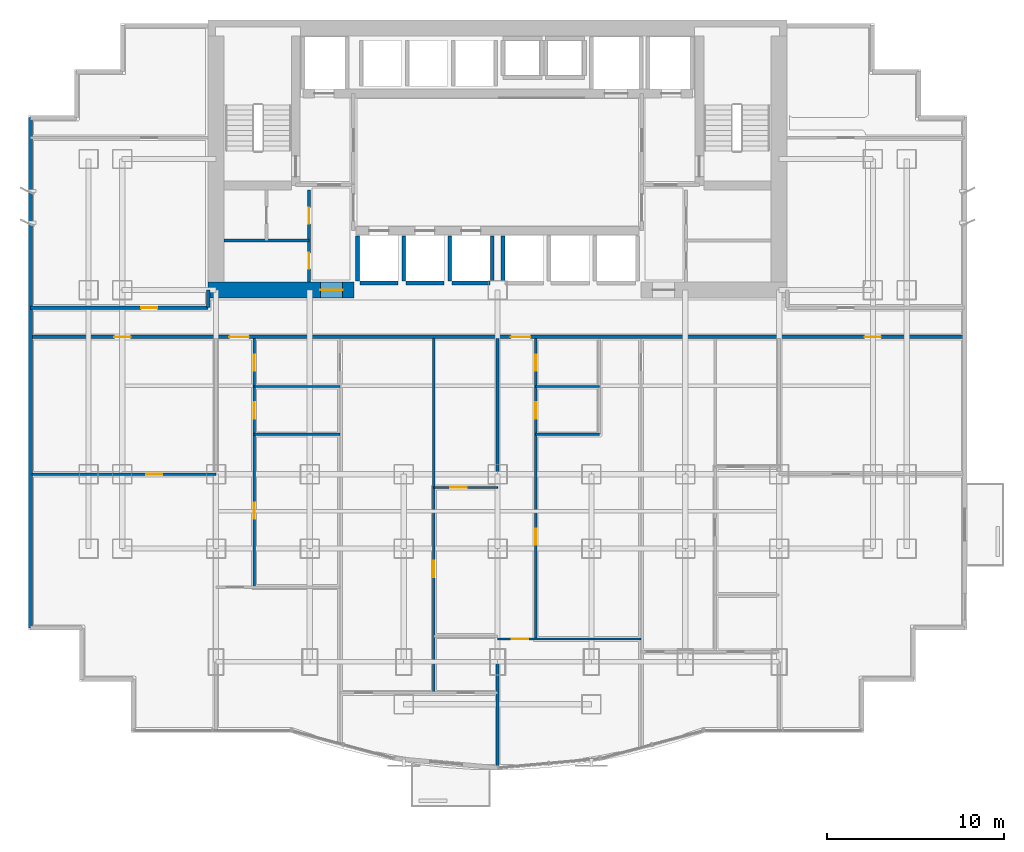
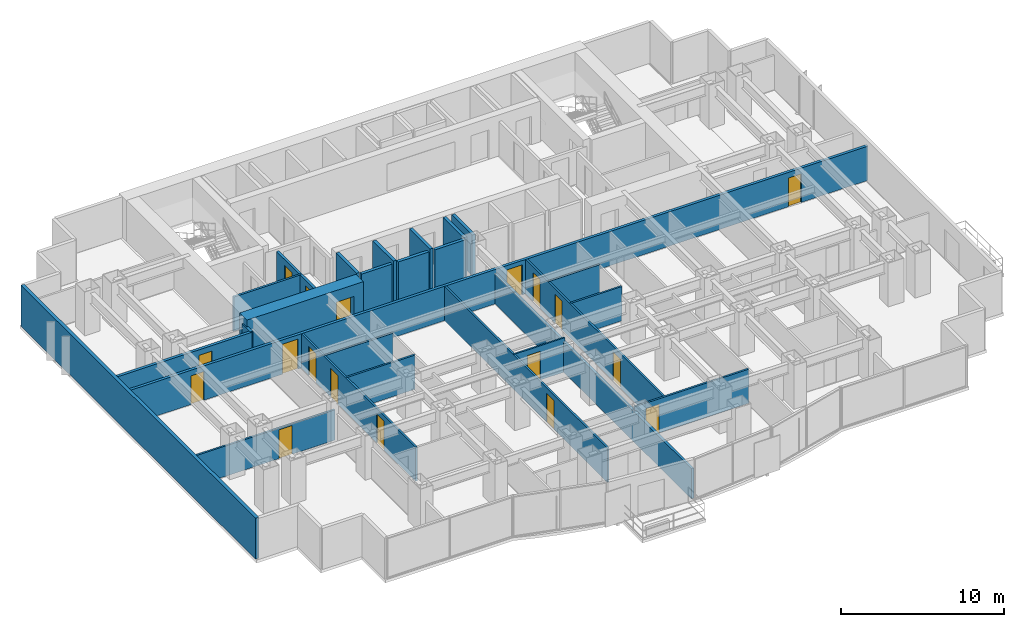
# One storey, part 5 of 10: 26 walls, 18 doors, 18 openings.
"""IFC4 building model written with IfcOpenShell, lengths in metres."""

from ifc_helpers import new_model, si_unit, direction, frame, frame_2d, origin, place, context, subcontext, project, spatial, rectangle, extrude, material, layer, layer_set, type_object, element, fill, save


model = new_model("IFC4")

# Units and contexts
model_context = context("Model", 3, precision=1e-05, world=origin(), true_north=direction((0.0, 1.0)))
body_context = subcontext(model_context, "Body", "Model", "MODEL_VIEW")
ifc_project = project(units=[si_unit("LENGTHUNIT", "METRE"), si_unit("AREAUNIT", "SQUARE_METRE"), si_unit("VOLUMEUNIT", "CUBIC_METRE"), si_unit("PLANEANGLEUNIT", "RADIAN"), si_unit("MASSUNIT", "GRAM", prefix="KILO")], contexts=[model_context])

# Site, building, storey
site_placement = place(None, origin())
site = spatial("IfcSite", under=ifc_project, at=site_placement, CompositionType="ELEMENT")
building_placement = place(site_placement, origin())
building = spatial("IfcBuilding", under=site, at=building_placement, Name="Qianlan Lanfeng Residences", CompositionType="ELEMENT")
storey_placement = place(building_placement, frame((0.0, 0.0, 50.60009765625)))
storey = spatial("IfcBuildingStorey", under=building, at=storey_placement, Name="L13", CompositionType="ELEMENT", Elevation=50.60009765625)

# Wall, opening, door
ifc_material_1 = material(Name="Concrete C70", Category="concrete")
ifc_layer_1 = layer(ifc_material_1, 0.89990234375)
ifc_layer_set_1 = layer_set([ifc_layer_1], Name="Concrete C70")
wall_type_1 = type_object("IfcWallType", Name="CW-RC-900", PredefinedType="SHEAR", material=ifc_layer_set_1)
wall_1_placement = place(storey_placement, frame((10.14990234375, 25.199951171875, 0.0), z_axis=(0.0, 0.0, 1.0), x_axis=(1.0, 0.0, 0.0)))
wall_1 = element("IfcWall", 1, at=wall_1_placement, inside=storey, type_object=wall_type_1, Name="L13 Core Shear Wall SW", PredefinedType="SHEAR", context=body_context, shape_type="SweptSolid", body=[
    extrude(rectangle(XDim=8.25, YDim=0.89990234375, at=frame_2d((4.125, 0.0))), origin(), (0.0, 0.0, 1.0), 3.079833984375),
])
opening_1_placement = place(wall_1_placement, frame((6.35009765625, 0.0, 0.0)))
opening_1 = element("IfcOpeningElement", 2, at=opening_1_placement, cuts=wall_1, Name="Opening L13-D01", PredefinedType="OPENING", context=body_context, shape_type="SweptSolid", body=[
    extrude(rectangle(XDim=1.25, YDim=2.199951171875, at=frame_2d((0.625, 1.10009765625))), frame((0.0, 0.4599609375, 0.0), z_axis=(0.0, -1.0, 0.0), x_axis=(1.0, 0.0, 0.0)), (0.0, 0.0, 1.0), 0.919921875),
])
ifc_material_2 = material(Name="Painted Galvanised Steel Fire Door", Category="steel")
door_type_1 = type_object("IfcDoorType", Name="DT-FFL", OperationType="NOTDEFINED", PredefinedType="DOOR", material=ifc_material_2)
door_1_placement = place(opening_1_placement, frame((1.25, 0.0, 0.0), z_axis=(0.0, 0.0, 1.0), x_axis=(-1.0, 0.0, 0.0)))
door_1 = element("IfcDoor", 3, at=door_1_placement, inside=storey, type_object=door_type_1, Name="L13 West Core Lobby Smoke Door L13-D01 (DT-FFL)", OperationType="SINGLE_SWING_RIGHT", OverallHeight=2.199951171875, OverallWidth=1.25, PredefinedType="DOOR", context=body_context, shape_type="SweptSolid", body=[
    extrude(rectangle(XDim=1.25, YDim=2.199951171875, at=frame_2d((0.625, 1.10009765625))), frame((0.0, 0.02490234375, 0.0), z_axis=(0.0, -1.0, 0.0), x_axis=(1.0, 0.0, 0.0)), (0.0, 0.0, 1.0), 0.050048828125),
])
fill(opening_1, door_1)

# Wall
ifc_material_3 = material(Name="Concrete C42", Category="concrete")
ifc_layer_2 = layer(ifc_material_3, 0.239990234375)
ifc_layer_set_2 = layer_set([ifc_layer_2], Name="Concrete C42")
wall_type_2 = type_object("IfcWallType", Name="EW-240", PredefinedType="SOLIDWALL", material=ifc_layer_set_2)
wall_2_placement = place(storey_placement, frame((0.1201171875, 34.929931640625, 0.0), z_axis=(0.0, 0.0, 1.0), x_axis=(0.0, -1.0, 0.0)))
element("IfcWall", 4, at=wall_2_placement, inside=storey, type_object=wall_type_2, Name="L13 Exterior Facade Spandrel Wall 21", PredefinedType="SOLIDWALL", context=body_context, shape_type="SweptSolid", body=[
    extrude(rectangle(XDim=28.809814453125, YDim=0.239990234375, at=frame_2d((14.40478515625, 0.0))), origin(), (0.0, 0.0, 1.0), 3.079833984375),
])

# Wall, opening, door
ifc_material_4 = material(Name="Demountable Acoustic Framing Partition 110 mm")
ifc_layer_3 = layer(ifc_material_4, 0.110107421875)
ifc_layer_set_3 = layer_set([ifc_layer_3], Name="Demountable Acoustic Framing Partition 110 mm")
wall_type_3 = type_object("IfcWallType", Name="PW-110", PredefinedType="MOVABLE", material=ifc_layer_set_3)
wall_3_placement = place(storey_placement, frame((22.89990234375, 14.050048828125, 0.0), z_axis=(0.0, 0.0, 1.0), x_axis=(1.0, 0.0, 0.0)))
wall_3 = element("IfcWall", 5, at=wall_3_placement, inside=storey, type_object=wall_type_3, Name="L13 U01 Wardrobe Split", PredefinedType="MOVABLE", context=body_context, shape_type="SweptSolid", body=[
    extrude(rectangle(XDim=3.60009765625, YDim=0.110107421875, at=frame_2d((1.800048828125, 0.0))), origin(), (0.0, 0.0, 1.0), 2.56982421875),
])
opening_2_placement = place(wall_3_placement, frame((0.93994140625, 0.0, 0.0)))
opening_2 = element("IfcOpeningElement", 6, at=opening_2_placement, cuts=wall_3, Name="Opening L13-D25", PredefinedType="OPENING", context=body_context, shape_type="SweptSolid", body=[
    extrude(rectangle(XDim=0.919921875, YDim=2.14990234375, at=frame_2d((0.4599609375, 1.074951171875))), frame((0.0, 0.06494140625, 0.0), z_axis=(0.0, -1.0, 0.0), x_axis=(1.0, 0.0, 0.0)), (0.0, 0.0, 1.0), 0.130126953125),
])
ifc_material_5 = material(Name="Glazed Timber Kitchen/Study Door", Category="wood")
door_type_2 = type_object("IfcDoorType", Name="DT-INT", OperationType="NOTDEFINED", PredefinedType="DOOR", material=ifc_material_5)
door_2_placement = place(opening_2_placement, origin())
door_2 = element("IfcDoor", 7, at=door_2_placement, inside=storey, type_object=door_type_2, Name="L13 U01 Dressing Inner Door L13-D25 (DT-INT)", OperationType="SINGLE_SWING_LEFT", OverallHeight=2.14990234375, OverallWidth=0.919921875, PredefinedType="DOOR", context=body_context, shape_type="SweptSolid", body=[
    extrude(rectangle(XDim=0.919921875, YDim=2.14990234375, at=frame_2d((0.4599609375, 1.074951171875))), frame((0.0, 0.02490234375, 0.0), z_axis=(0.0, -1.0, 0.0), x_axis=(1.0, 0.0, 0.0)), (0.0, 0.0, 1.0), 0.050048828125),
])
fill(opening_2, door_2)

# Wall, openings, doors
ifc_material_6 = material(Name="Moisture-Resistant Gypsum Partition 135 mm")
ifc_layer_4 = layer(ifc_material_6, 0.135009765625)
ifc_layer_set_4 = layer_set([ifc_layer_4], Name="Moisture-Resistant Gypsum Partition 135 mm")
wall_type_4 = type_object("IfcWallType", Name="PW-135", PredefinedType="PARTITIONING", material=ifc_layer_set_4)
wall_4_placement = place(storey_placement, frame((12.75, 8.419921875, 0.0), z_axis=(0.0, 0.0, 1.0), x_axis=(0.0, 1.0, 0.0)))
wall_4 = element("IfcWall", 8, at=wall_4_placement, inside=storey, type_object=wall_type_4, Name="L13 U01 Entry Hall Spine", PredefinedType="PARTITIONING", context=body_context, shape_type="SweptSolid", body=[
    extrude(rectangle(XDim=14.030029296875, YDim=0.135009765625, at=frame_2d((7.01513671875, 0.0))), origin(), (0.0, 0.0, 1.0), 2.56982421875),
])
opening_3_placement = place(wall_4_placement, frame((3.85498046875, 0.0, 0.0)))
opening_3 = element("IfcOpeningElement", 9, at=opening_3_placement, cuts=wall_4, Name="Opening L13-D19", PredefinedType="OPENING", context=body_context, shape_type="SweptSolid", body=[
    extrude(rectangle(XDim=0.919921875, YDim=2.14990234375, at=frame_2d((0.4599609375, 1.074951171875))), frame((0.0, 0.07763671875, 0.0), z_axis=(0.0, -1.0, 0.0), x_axis=(1.0, 0.0, 0.0)), (0.0, 0.0, 1.0), 0.155029296875),
])
opening_4_placement = place(wall_4_placement, frame((9.52001953125, 0.0, 0.0)))
opening_4 = element("IfcOpeningElement", 10, at=opening_4_placement, cuts=wall_4, Name="Opening L13-D20", PredefinedType="OPENING", context=body_context, shape_type="SweptSolid", body=[
    extrude(rectangle(XDim=0.919921875, YDim=2.14990234375, at=frame_2d((0.4599609375, 1.074951171875))), frame((0.0, 0.07763671875, 0.0), z_axis=(0.0, -1.0, 0.0), x_axis=(1.0, 0.0, 0.0)), (0.0, 0.0, 1.0), 0.155029296875),
])
opening_5_placement = place(wall_4_placement, frame((12.22998046875, 0.0, 0.0)))
opening_5 = element("IfcOpeningElement", 11, at=opening_5_placement, cuts=wall_4, Name="Opening L13-D21", PredefinedType="OPENING", context=body_context, shape_type="SweptSolid", body=[
    extrude(rectangle(XDim=0.89990234375, YDim=2.14990234375, at=frame_2d((0.449951171875, 1.074951171875))), frame((0.0, 0.07763671875, 0.0), z_axis=(0.0, -1.0, 0.0), x_axis=(1.0, 0.0, 0.0)), (0.0, 0.0, 1.0), 0.155029296875),
])
door_3_placement = place(opening_3_placement, origin())
door_3 = element("IfcDoor", 12, at=door_3_placement, inside=storey, type_object=door_type_2, Name="L13 U01 Study Door L13-D19 (DT-INT)", OperationType="SINGLE_SWING_LEFT", OverallHeight=2.14990234375, OverallWidth=0.919921875, PredefinedType="DOOR", context=body_context, shape_type="SweptSolid", body=[
    extrude(rectangle(XDim=0.919921875, YDim=2.14990234375, at=frame_2d((0.4599609375, 1.074951171875))), frame((0.0, 0.02490234375, 0.0), z_axis=(0.0, -1.0, 0.0), x_axis=(1.0, 0.0, 0.0)), (0.0, 0.0, 1.0), 0.050048828125),
])
fill(opening_3, door_3)
door_4_placement = place(opening_4_placement, origin())
door_4 = element("IfcDoor", 13, at=door_4_placement, inside=storey, type_object=door_type_2, Name="L13 U01 Kitchen Door L13-D20 (DT-INT)", OperationType="SINGLE_SWING_RIGHT", OverallHeight=2.14990234375, OverallWidth=0.919921875, PredefinedType="DOOR", context=body_context, shape_type="SweptSolid", body=[
    extrude(rectangle(XDim=0.919921875, YDim=2.14990234375, at=frame_2d((0.4599609375, 1.074951171875))), frame((0.0, 0.02490234375, 0.0), z_axis=(0.0, -1.0, 0.0), x_axis=(1.0, 0.0, 0.0)), (0.0, 0.0, 1.0), 0.050048828125),
])
fill(opening_4, door_4)
ifc_material_7 = material(Name="Moisture-Resistant Timber Leaf", Category="wood")
door_type_3 = type_object("IfcDoorType", Name="DT-WC", OperationType="NOTDEFINED", PredefinedType="DOOR", material=ifc_material_7)
door_5_placement = place(opening_5_placement, origin())
door_5 = element("IfcDoor", 14, at=door_5_placement, inside=storey, type_object=door_type_3, Name="L13 U01 Bathroom Door L13-D21 (DT-WC)", OperationType="SINGLE_SWING_LEFT", OverallHeight=2.14990234375, OverallWidth=0.89990234375, PredefinedType="DOOR", context=body_context, shape_type="SweptSolid", body=[
    extrude(rectangle(XDim=0.89990234375, YDim=2.14990234375, at=frame_2d((0.449951171875, 1.074951171875))), frame((0.0, 0.02490234375, 0.0), z_axis=(0.0, -1.0, 0.0), x_axis=(1.0, 0.0, 0.0)), (0.0, 0.0, 1.0), 0.050048828125),
])
fill(opening_5, door_5)

# Walls
for number, where, z_axis, x_axis, name in (
    (15, (12.75, 17.050048828125, 0.0), (0.0, 0.0, 1.0), (1.0, 0.0, 0.0), "L13 U01 Kitchen South Wall"),
    (16, (12.75, 19.75, 0.0), (0.0, 0.0, 1.0), (1.0, 0.0, 0.0), "L13 U01 Bathroom South Wall"),
):
    element("IfcWall", number, at=place(storey_placement, frame(where, z_axis=z_axis, x_axis=x_axis)), inside=storey, type_object=wall_type_4, Name=name, PredefinedType="PARTITIONING", context=body_context, shape_type="SweptSolid", body=[
        extrude(rectangle(XDim=4.85009765625, YDim=0.135009765625, at=frame_2d((2.425048828125, 0.0))), origin(), (0.0, 0.0, 1.0), 2.56982421875),
    ])

# Wall, opening, door
wall_5_placement = place(storey_placement, frame((22.89990234375, 2.450927734375, 0.0), z_axis=(0.0, 0.0, 1.0), x_axis=(0.0, 1.0, 0.0)))
wall_5 = element("IfcWall", 17, at=wall_5_placement, inside=storey, type_object=wall_type_4, Name="L13 U01 Master Passage Wall", PredefinedType="PARTITIONING", context=body_context, shape_type="SweptSolid", body=[
    extrude(rectangle(XDim=19.9990234375, YDim=0.135009765625, at=frame_2d((9.99951171875, 0.0))), origin(), (0.0, 0.0, 1.0), 2.56982421875),
])
opening_6_placement = place(wall_5_placement, frame((6.5390625, 0.0, 0.0)))
opening_6 = element("IfcOpeningElement", 18, at=opening_6_placement, cuts=wall_5, Name="Opening L13-D24", PredefinedType="OPENING", context=body_context, shape_type="SweptSolid", body=[
    extrude(rectangle(XDim=0.919921875, YDim=2.14990234375, at=frame_2d((0.4599609375, 1.074951171875))), frame((0.0, 0.07763671875, 0.0), z_axis=(0.0, -1.0, 0.0), x_axis=(1.0, 0.0, 0.0)), (0.0, 0.0, 1.0), 0.155029296875),
])
door_6_placement = place(opening_6_placement, origin())
door_6 = element("IfcDoor", 19, at=door_6_placement, inside=storey, type_object=door_type_2, Name="L13 U01 Wardrobe Door L13-D24 (DT-INT)", OperationType="SINGLE_SWING_RIGHT", OverallHeight=2.14990234375, OverallWidth=0.919921875, PredefinedType="DOOR", context=body_context, shape_type="SweptSolid", body=[
    extrude(rectangle(XDim=0.919921875, YDim=2.14990234375, at=frame_2d((0.4599609375, 1.074951171875))), frame((0.0, 0.02490234375, 0.0), z_axis=(0.0, -1.0, 0.0), x_axis=(1.0, 0.0, 0.0)), (0.0, 0.0, 1.0), 0.050048828125),
])
fill(opening_6, door_6)

wall_6_placement = place(storey_placement, frame((26.5, 5.493896484375, 0.0), z_axis=(0.0, 0.0, 1.0), x_axis=(1.0, 0.0, 0.0)))
wall_6 = element("IfcWall", 20, at=wall_6_placement, inside=storey, type_object=wall_type_4, Name="L13 U02 Living Divider", PredefinedType="PARTITIONING", context=body_context, shape_type="SweptSolid", body=[
    extrude(rectangle(XDim=8.10009765625, YDim=0.135009765625, at=frame_2d((4.050048828125, 0.0))), origin(), (0.0, 0.0, 1.0), 2.56982421875),
])
opening_7_placement = place(wall_6_placement, frame((0.81494140625, 0.0, 0.0)))
opening_7 = element("IfcOpeningElement", 21, at=opening_7_placement, cuts=wall_6, Name="Opening L13-D28", PredefinedType="OPENING", context=body_context, shape_type="SweptSolid", body=[
    extrude(rectangle(XDim=0.919921875, YDim=2.14990234375, at=frame_2d((0.4599609375, 1.074951171875))), frame((0.0, 0.07763671875, 0.0), z_axis=(0.0, -1.0, 0.0), x_axis=(1.0, 0.0, 0.0)), (0.0, 0.0, 1.0), 0.155029296875),
])
door_7_placement = place(opening_7_placement, origin())
door_7 = element("IfcDoor", 22, at=door_7_placement, inside=storey, type_object=door_type_2, Name="L13 U02 Living Passage Door L13-D28 (DT-INT)", OperationType="SINGLE_SWING_LEFT", OverallHeight=2.14990234375, OverallWidth=0.919921875, PredefinedType="DOOR", context=body_context, shape_type="SweptSolid", body=[
    extrude(rectangle(XDim=0.919921875, YDim=2.14990234375, at=frame_2d((0.4599609375, 1.074951171875))), frame((0.0, 0.02490234375, 0.0), z_axis=(0.0, -1.0, 0.0), x_axis=(1.0, 0.0, 0.0)), (0.0, 0.0, 1.0), 0.050048828125),
])
fill(opening_7, door_7)

# Wall, openings, doors
wall_7_placement = place(storey_placement, frame((28.64990234375, 5.493896484375, 0.0), z_axis=(0.0, 0.0, 1.0), x_axis=(0.0, 1.0, 0.0)))
wall_7 = element("IfcWall", 23, at=wall_7_placement, inside=storey, type_object=wall_type_4, Name="L13 U02 Entry Hall Spine", PredefinedType="PARTITIONING", context=body_context, shape_type="SweptSolid", body=[
    extrude(rectangle(XDim=16.9560546875, YDim=0.135009765625, at=frame_2d((8.47802734375, 0.0))), origin(), (0.0, 0.0, 1.0), 2.56982421875),
])
opening_8_placement = place(wall_7_placement, frame((5.318115234375, 0.0, 0.0)))
opening_8 = element("IfcOpeningElement", 24, at=opening_8_placement, cuts=wall_7, Name="Opening L13-D29", PredefinedType="OPENING", context=body_context, shape_type="SweptSolid", body=[
    extrude(rectangle(XDim=0.919921875, YDim=2.14990234375, at=frame_2d((0.4599609375, 1.074951171875))), frame((0.0, 0.07763671875, 0.0), z_axis=(0.0, -1.0, 0.0), x_axis=(1.0, 0.0, 0.0)), (0.0, 0.0, 1.0), 0.155029296875),
])
opening_9_placement = place(wall_7_placement, frame((12.446044921875, 0.0, 0.0)))
opening_9 = element("IfcOpeningElement", 25, at=opening_9_placement, cuts=wall_7, Name="Opening L13-D30", PredefinedType="OPENING", context=body_context, shape_type="SweptSolid", body=[
    extrude(rectangle(XDim=0.919921875, YDim=2.14990234375, at=frame_2d((0.4599609375, 1.074951171875))), frame((0.0, 0.07763671875, 0.0), z_axis=(0.0, -1.0, 0.0), x_axis=(1.0, 0.0, 0.0)), (0.0, 0.0, 1.0), 0.155029296875),
])
opening_10_placement = place(wall_7_placement, frame((15.156005859375, 0.0, 0.0)))
opening_10 = element("IfcOpeningElement", 26, at=opening_10_placement, cuts=wall_7, Name="Opening L13-D31", PredefinedType="OPENING", context=body_context, shape_type="SweptSolid", body=[
    extrude(rectangle(XDim=0.89990234375, YDim=2.14990234375, at=frame_2d((0.449951171875, 1.074951171875))), frame((0.0, 0.07763671875, 0.0), z_axis=(0.0, -1.0, 0.0), x_axis=(1.0, 0.0, 0.0)), (0.0, 0.0, 1.0), 0.155029296875),
])
door_8_placement = place(opening_8_placement, origin())
door_8 = element("IfcDoor", 27, at=door_8_placement, inside=storey, type_object=door_type_2, Name="L13 U02 Study Door L13-D29 (DT-INT)", OperationType="SINGLE_SWING_LEFT", OverallHeight=2.14990234375, OverallWidth=0.919921875, PredefinedType="DOOR", context=body_context, shape_type="SweptSolid", body=[
    extrude(rectangle(XDim=0.919921875, YDim=2.14990234375, at=frame_2d((0.4599609375, 1.074951171875))), frame((0.0, 0.02490234375, 0.0), z_axis=(0.0, -1.0, 0.0), x_axis=(1.0, 0.0, 0.0)), (0.0, 0.0, 1.0), 0.050048828125),
])
fill(opening_8, door_8)
door_9_placement = place(opening_9_placement, origin())
door_9 = element("IfcDoor", 28, at=door_9_placement, inside=storey, type_object=door_type_2, Name="L13 U02 Kitchen Door L13-D30 (DT-INT)", OperationType="SINGLE_SWING_RIGHT", OverallHeight=2.14990234375, OverallWidth=0.919921875, PredefinedType="DOOR", context=body_context, shape_type="SweptSolid", body=[
    extrude(rectangle(XDim=0.919921875, YDim=2.14990234375, at=frame_2d((0.4599609375, 1.074951171875))), frame((0.0, 0.02490234375, 0.0), z_axis=(0.0, -1.0, 0.0), x_axis=(1.0, 0.0, 0.0)), (0.0, 0.0, 1.0), 0.050048828125),
])
fill(opening_9, door_9)
door_10_placement = place(opening_10_placement, origin())
door_10 = element("IfcDoor", 29, at=door_10_placement, inside=storey, type_object=door_type_3, Name="L13 U02 Bathroom Door L13-D31 (DT-WC)", OperationType="SINGLE_SWING_LEFT", OverallHeight=2.14990234375, OverallWidth=0.89990234375, PredefinedType="DOOR", context=body_context, shape_type="SweptSolid", body=[
    extrude(rectangle(XDim=0.89990234375, YDim=2.14990234375, at=frame_2d((0.449951171875, 1.074951171875))), frame((0.0, 0.02490234375, 0.0), z_axis=(0.0, -1.0, 0.0), x_axis=(1.0, 0.0, 0.0)), (0.0, 0.0, 1.0), 0.050048828125),
])
fill(opening_10, door_10)

# Walls
for number, where, z_axis, x_axis, name in (
    (30, (28.64990234375, 17.050048828125, 0.0), (0.0, 0.0, 1.0), (1.0, 0.0, 0.0), "L13 U02 Kitchen South Wall"),
    (31, (28.64990234375, 19.75, 0.0), (0.0, 0.0, 1.0), (1.0, 0.0, 0.0), "L13 U02 Bathroom South Wall"),
):
    element("IfcWall", number, at=place(storey_placement, frame(where, z_axis=z_axis, x_axis=x_axis)), inside=storey, type_object=wall_type_4, Name=name, PredefinedType="PARTITIONING", context=body_context, shape_type="SweptSolid", body=[
        extrude(rectangle(XDim=3.60009765625, YDim=0.135009765625, at=frame_2d((1.800048828125, 0.0))), origin(), (0.0, 0.0, 1.0), 2.56982421875),
    ])

# Wall, opening, door
wall_8_placement = place(storey_placement, frame((0.219970703125, 14.800048828125, 0.0), z_axis=(0.0, 0.0, 1.0), x_axis=(1.0, 0.0, 0.0)))
wall_8 = element("IfcWall", 32, at=wall_8_placement, inside=storey, type_object=wall_type_4, Name="L13 SWP Mid Partition", PredefinedType="PARTITIONING", context=body_context, shape_type="SweptSolid", body=[
    extrude(rectangle(XDim=10.380126953125, YDim=0.135009765625, at=frame_2d((5.18994140625, 0.0))), origin(), (0.0, 0.0, 1.0), 2.27490234375),
])
opening_11_placement = place(wall_8_placement, frame((6.429931640625, 0.0, 0.0)))
opening_11 = element("IfcOpeningElement", 33, at=opening_11_placement, cuts=wall_8, Name="Opening L13-D36", PredefinedType="OPENING", context=body_context, shape_type="SweptSolid", body=[
    extrude(rectangle(XDim=0.919921875, YDim=2.14990234375, at=frame_2d((0.4599609375, 1.074951171875))), frame((0.0, 0.07763671875, 0.0), z_axis=(0.0, -1.0, 0.0), x_axis=(1.0, 0.0, 0.0)), (0.0, 0.0, 1.0), 0.155029296875),
])
door_11_placement = place(opening_11_placement, origin())
door_11 = element("IfcDoor", 34, at=door_11_placement, inside=storey, type_object=door_type_2, Name="L13 SWP Inner Door L13-D36 (DT-INT)", OperationType="SINGLE_SWING_RIGHT", OverallHeight=2.14990234375, OverallWidth=0.919921875, PredefinedType="DOOR", context=body_context, shape_type="SweptSolid", body=[
    extrude(rectangle(XDim=0.919921875, YDim=2.14990234375, at=frame_2d((0.4599609375, 1.074951171875))), frame((0.0, 0.02490234375, 0.0), z_axis=(0.0, -1.0, 0.0), x_axis=(1.0, 0.0, 0.0)), (0.0, 0.0, 1.0), 0.050048828125),
])
fill(opening_11, door_11)

# Wall
ifc_material_8 = material(Name="Acoustic Drywall Partition 150 mm")
ifc_layer_5 = layer(ifc_material_8, 0.14990234375)
ifc_layer_set_5 = layer_set([ifc_layer_5], Name="Acoustic Drywall Partition 150 mm")
wall_type_5 = type_object("IfcWallType", Name="PW-150", PredefinedType="PARTITIONING", material=ifc_layer_set_5)
wall_9_placement = place(storey_placement, frame((11.050048828125, 28.0, 0.0), z_axis=(0.0, 0.0, 1.0), x_axis=(1.0, 0.0, 0.0)))
element("IfcWall", 35, at=wall_9_placement, inside=storey, type_object=wall_type_5, Name="L13 Core West H4", PredefinedType="PARTITIONING", context=body_context, shape_type="SweptSolid", body=[
    extrude(rectangle(XDim=4.800048828125, YDim=0.14990234375, at=frame_2d((2.39990234375, 0.0))), origin(), (0.0, 0.0, 1.0), 2.56982421875),
])

# Wall, openings, doors
ifc_material_9 = material(Name="Double-Layer Acoustic Gypsum Stud Wall 180 mm")
ifc_layer_6 = layer(ifc_material_9, 0.179931640625)
ifc_layer_set_6 = layer_set([ifc_layer_6], Name="Double-Layer Acoustic Gypsum Stud Wall 180 mm")
wall_type_6 = type_object("IfcWallType", Name="PW-180", PredefinedType="PARTITIONING", material=ifc_layer_set_6)
wall_10_placement = place(storey_placement, frame((15.85009765625, 25.64990234375, 0.0), z_axis=(0.0, 0.0, 1.0), x_axis=(0.0, 1.0, 0.0)))
wall_10 = element("IfcWall", 36, at=wall_10_placement, inside=storey, type_object=wall_type_6, Name="L13 Core West Service Room Wall", PredefinedType="PARTITIONING", context=body_context, shape_type="SweptSolid", body=[
    extrude(rectangle(XDim=5.2001953125, YDim=0.179931640625, at=frame_2d((2.60009765625, 0.0))), origin(), (0.0, 0.0, 1.0), 2.56982421875),
])
opening_12_placement = place(wall_10_placement, frame((0.75, 0.0, 0.0)))
opening_12 = element("IfcOpeningElement", 37, at=opening_12_placement, cuts=wall_10, Name="Opening L13-D09", PredefinedType="OPENING", context=body_context, shape_type="SweptSolid", body=[
    extrude(rectangle(XDim=0.89990234375, YDim=2.14990234375, at=frame_2d((0.449951171875, 1.074951171875))), frame((0.0, 0.10009765625, 0.0), z_axis=(0.0, -1.0, 0.0), x_axis=(1.0, 0.0, 0.0)), (0.0, 0.0, 1.0), 0.199951171875),
])
opening_13_placement = place(wall_10_placement, frame((3.2900390625, 0.0, 0.0)))
opening_13 = element("IfcOpeningElement", 38, at=opening_13_placement, cuts=wall_10, Name="Opening L13-D10", PredefinedType="OPENING", context=body_context, shape_type="SweptSolid", body=[
    extrude(rectangle(XDim=0.919921875, YDim=2.14990234375, at=frame_2d((0.4599609375, 1.074951171875))), frame((0.0, 0.10009765625, 0.0), z_axis=(0.0, -1.0, 0.0), x_axis=(1.0, 0.0, 0.0)), (0.0, 0.0, 1.0), 0.199951171875),
])
door_12_placement = place(opening_13_placement, origin())
door_12 = element("IfcDoor", 39, at=door_12_placement, inside=storey, type_object=door_type_2, Name="L13 Janitor Hall Door L13-D10 (DT-INT)", OperationType="SINGLE_SWING_RIGHT", OverallHeight=2.14990234375, OverallWidth=0.919921875, PredefinedType="DOOR", context=body_context, shape_type="SweptSolid", body=[
    extrude(rectangle(XDim=0.919921875, YDim=2.14990234375, at=frame_2d((0.4599609375, 1.074951171875))), frame((0.0, 0.02490234375, 0.0), z_axis=(0.0, -1.0, 0.0), x_axis=(1.0, 0.0, 0.0)), (0.0, 0.0, 1.0), 0.050048828125),
])
fill(opening_13, door_12)
door_13_placement = place(opening_12_placement, origin())
door_13 = element("IfcDoor", 40, at=door_13_placement, inside=storey, type_object=door_type_3, Name="L13 Staff WC Door L13-D09 (DT-WC)", OperationType="SINGLE_SWING_LEFT", OverallHeight=2.14990234375, OverallWidth=0.89990234375, PredefinedType="DOOR", context=body_context, shape_type="SweptSolid", body=[
    extrude(rectangle(XDim=0.89990234375, YDim=2.14990234375, at=frame_2d((0.449951171875, 1.074951171875))), frame((0.0, 0.02490234375, 0.0), z_axis=(0.0, -1.0, 0.0), x_axis=(1.0, 0.0, 0.0)), (0.0, 0.0, 1.0), 0.050048828125),
])
fill(opening_12, door_13)

# Wall
wall_11_placement = place(storey_placement, frame((26.5, -1.679931640625, 0.0), z_axis=(0.0, 0.0, 1.0), x_axis=(0.0, 1.0, 0.0)))
element("IfcWall", 41, at=wall_11_placement, inside=storey, type_object=wall_type_6, Name="L13 Inter-Tenancy Party Wall 2", PredefinedType="PARTITIONING", context=body_context, shape_type="SweptSolid", body=[
    extrude(rectangle(XDim=24.1298828125, YDim=0.179931640625, at=frame_2d((12.06494140625, 0.0))), origin(), (0.0, 0.0, 1.0), 2.27490234375),
])

# Wall, openings, doors
ifc_material_10 = material(Name="Autoclaved Aerated Concrete Blockwork 200 mm", Category="masonry")
ifc_layer_7 = layer(ifc_material_10, 0.199951171875)
ifc_layer_set_7 = layer_set([ifc_layer_7], Name="Autoclaved Aerated Concrete Blockwork 200 mm")
wall_type_7 = type_object("IfcWallType", Name="PW-200", PredefinedType="PARTITIONING", material=ifc_layer_set_7)
wall_12_placement = place(storey_placement, frame((0.1201171875, 22.550048828125, 0.0), z_axis=(0.0, 0.0, 1.0), x_axis=(1.0, 0.0, 0.0)))
wall_12 = element("IfcWall", 42, at=wall_12_placement, inside=storey, type_object=wall_type_7, Name="L13 Residential Corridor South Fire Wall", PredefinedType="PARTITIONING", context=body_context, shape_type="SweptSolid", body=[
    extrude(rectangle(XDim=52.759765625, YDim=0.199951171875, at=frame_2d((26.3798828125, 0.0))), origin(), (0.0, 0.0, 1.0), 2.56982421875),
])
opening_14_placement = place(wall_12_placement, frame((11.22998046875, 0.0, 0.0)))
opening_14 = element("IfcOpeningElement", 43, at=opening_14_placement, cuts=wall_12, Name="Opening L13-D16", PredefinedType="OPENING", context=body_context, shape_type="SweptSolid", body=[
    extrude(rectangle(XDim=1.10009765625, YDim=2.25, at=frame_2d((0.550048828125, 1.125))), frame((0.0, 0.10986328125, 0.0), z_axis=(0.0, -1.0, 0.0), x_axis=(1.0, 0.0, 0.0)), (0.0, 0.0, 1.0), 0.219970703125),
])
opening_15_placement = place(wall_12_placement, frame((27.1298828125, 0.0, 0.0)))
opening_15 = element("IfcOpeningElement", 44, at=opening_15_placement, cuts=wall_12, Name="Opening L13-D26", PredefinedType="OPENING", context=body_context, shape_type="SweptSolid", body=[
    extrude(rectangle(XDim=1.10009765625, YDim=2.25, at=frame_2d((0.550048828125, 1.125))), frame((0.0, 0.10986328125, 0.0), z_axis=(0.0, -1.0, 0.0), x_axis=(1.0, 0.0, 0.0)), (0.0, 0.0, 1.0), 0.219970703125),
])
opening_16_placement = place(wall_12_placement, frame((4.735107421875, 0.0, 0.0)))
opening_16 = element("IfcOpeningElement", 45, at=opening_16_placement, cuts=wall_12, Name="Opening L13-D37", PredefinedType="OPENING", context=body_context, shape_type="SweptSolid", body=[
    extrude(rectangle(XDim=0.919921875, YDim=2.14990234375, at=frame_2d((0.4599609375, 1.074951171875))), frame((0.0, 0.10986328125, 0.0), z_axis=(0.0, -1.0, 0.0), x_axis=(1.0, 0.0, 0.0)), (0.0, 0.0, 1.0), 0.219970703125),
])
opening_17_placement = place(wall_12_placement, frame((47.10498046875, 0.0, 0.0)))
opening_17 = element("IfcOpeningElement", 46, at=opening_17_placement, cuts=wall_12, Name="Opening L13-D39", PredefinedType="OPENING", context=body_context, shape_type="SweptSolid", body=[
    extrude(rectangle(XDim=0.919921875, YDim=2.14990234375, at=frame_2d((0.4599609375, 1.074951171875))), frame((0.0, 0.10986328125, 0.0), z_axis=(0.0, -1.0, 0.0), x_axis=(1.0, 0.0, 0.0)), (0.0, 0.0, 1.0), 0.219970703125),
])
door_14_placement = place(opening_16_placement, origin())
door_14 = element("IfcDoor", 47, at=door_14_placement, inside=storey, type_object=door_type_2, Name="L13 SWP Corridor Door L13-D37 (DT-INT)", OperationType="SINGLE_SWING_LEFT", OverallHeight=2.14990234375, OverallWidth=0.919921875, PredefinedType="DOOR", context=body_context, shape_type="SweptSolid", body=[
    extrude(rectangle(XDim=0.919921875, YDim=2.14990234375, at=frame_2d((0.4599609375, 1.074951171875))), frame((0.0, 0.02490234375, 0.0), z_axis=(0.0, -1.0, 0.0), x_axis=(1.0, 0.0, 0.0)), (0.0, 0.0, 1.0), 0.050048828125),
])
fill(opening_16, door_14)
door_15_placement = place(opening_17_placement, origin())
door_15 = element("IfcDoor", 48, at=door_15_placement, inside=storey, type_object=door_type_2, Name="L13 SEP Corridor Door L13-D39 (DT-INT)", OperationType="SINGLE_SWING_LEFT", OverallHeight=2.14990234375, OverallWidth=0.919921875, PredefinedType="DOOR", context=body_context, shape_type="SweptSolid", body=[
    extrude(rectangle(XDim=0.919921875, YDim=2.14990234375, at=frame_2d((0.4599609375, 1.074951171875))), frame((0.0, 0.02490234375, 0.0), z_axis=(0.0, -1.0, 0.0), x_axis=(1.0, 0.0, 0.0)), (0.0, 0.0, 1.0), 0.050048828125),
])
fill(opening_17, door_15)
ifc_material_11 = material(Name="Solid-Core Oak Veneer Fire Door")
door_type_4 = type_object("IfcDoorType", Name="DT-UNIT", OperationType="NOTDEFINED", PredefinedType="DOOR", material=ifc_material_11)
door_16_placement = place(opening_14_placement, origin())
door_16 = element("IfcDoor", 49, at=door_16_placement, inside=storey, type_object=door_type_4, Name="L13 Apartment U01 Entrance Door L13-D16 (DT-UNIT)", OperationType="SINGLE_SWING_RIGHT", OverallHeight=2.25, OverallWidth=1.10009765625, PredefinedType="DOOR", context=body_context, shape_type="SweptSolid", body=[
    extrude(rectangle(XDim=1.10009765625, YDim=2.25, at=frame_2d((0.550048828125, 1.125))), frame((0.0, 0.02490234375, 0.0), z_axis=(0.0, -1.0, 0.0), x_axis=(1.0, 0.0, 0.0)), (0.0, 0.0, 1.0), 0.050048828125),
])
fill(opening_14, door_16)
door_17_placement = place(opening_15_placement, origin())
door_17 = element("IfcDoor", 50, at=door_17_placement, inside=storey, type_object=door_type_4, Name="L13 Apartment U02 Entrance Door L13-D26 (DT-UNIT)", OperationType="SINGLE_SWING_RIGHT", OverallHeight=2.25, OverallWidth=1.10009765625, PredefinedType="DOOR", context=body_context, shape_type="SweptSolid", body=[
    extrude(rectangle(XDim=1.10009765625, YDim=2.25, at=frame_2d((0.550048828125, 1.125))), frame((0.0, 0.02490234375, 0.0), z_axis=(0.0, -1.0, 0.0), x_axis=(1.0, 0.0, 0.0)), (0.0, 0.0, 1.0), 0.050048828125),
])
fill(opening_15, door_17)

# Wall, opening, door
wall_13_placement = place(storey_placement, frame((0.1201171875, 24.199951171875, 0.0), z_axis=(0.0, 0.0, 1.0), x_axis=(1.0, 0.0, 0.0)))
wall_13 = element("IfcWall", 51, at=wall_13_placement, inside=storey, type_object=wall_type_7, Name="L13 Corridor NW Wall", PredefinedType="PARTITIONING", context=body_context, shape_type="SweptSolid", body=[
    extrude(rectangle(XDim=10.02978515625, YDim=0.199951171875, at=frame_2d((5.014892578125, 0.0))), origin(), (0.0, 0.0, 1.0), 2.56982421875),
])
opening_18_placement = place(wall_13_placement, frame((6.2548828125, 0.0, 0.0)))
opening_18 = element("IfcOpeningElement", 52, at=opening_18_placement, cuts=wall_13, Name="Opening L13-D41", PredefinedType="OPENING", context=body_context, shape_type="SweptSolid", body=[
    extrude(rectangle(XDim=0.919921875, YDim=2.14990234375, at=frame_2d((0.4599609375, 1.074951171875))), frame((0.0, 0.10986328125, 0.0), z_axis=(0.0, -1.0, 0.0), x_axis=(1.0, 0.0, 0.0)), (0.0, 0.0, 1.0), 0.219970703125),
])
door_18_placement = place(opening_18_placement, origin())
door_18 = element("IfcDoor", 53, at=door_18_placement, inside=storey, type_object=door_type_2, Name="L13 WW Amenity Salon Door L13-D41 (DT-INT)", OperationType="SINGLE_SWING_RIGHT", OverallHeight=2.14990234375, OverallWidth=0.919921875, PredefinedType="DOOR", context=body_context, shape_type="SweptSolid", body=[
    extrude(rectangle(XDim=0.919921875, YDim=2.14990234375, at=frame_2d((0.4599609375, 1.074951171875))), frame((0.0, 0.02490234375, 0.0), z_axis=(0.0, -1.0, 0.0), x_axis=(1.0, 0.0, 0.0)), (0.0, 0.0, 1.0), 0.050048828125),
])
fill(opening_18, door_18)

# Walls
wall_14_placement = place(storey_placement, frame((10.14990234375, 24.199951171875, 0.0), z_axis=(0.0, 0.0, 1.0), x_axis=(0.0, 1.0, 0.0)))
element("IfcWall", 54, at=wall_14_placement, inside=storey, type_object=wall_type_7, Name="L13 NW Wing Core Return Wall", PredefinedType="PARTITIONING", context=body_context, shape_type="SweptSolid", body=[
    extrude(rectangle(XDim=1.0, YDim=0.199951171875, at=frame_2d((0.5, 0.0))), origin(), (0.0, 0.0, 1.0), 2.56982421875),
])
ifc_material_12 = material(Name="Concrete C49", Category="concrete")
ifc_layer_8 = layer(ifc_material_12, 0.219970703125)
ifc_layer_set_8 = layer_set([ifc_layer_8], Name="Concrete C49")
wall_type_8 = type_object("IfcWallType", Name="SHW-220", PredefinedType="SOLIDWALL", material=ifc_layer_set_8)
wall_15_placement = place(storey_placement, frame((18.60009765625, 25.719970703125, 0.0), z_axis=(0.0, 0.0, 1.0), x_axis=(0.0, 1.0, 0.0)))
element("IfcWall", 55, at=wall_15_placement, inside=storey, type_object=wall_type_8, Name="L13 Lift PL-L1 Shaft Wall W", PredefinedType="SOLIDWALL", context=body_context, shape_type="SweptSolid", body=[
    extrude(rectangle(XDim=2.530029296875, YDim=0.219970703125, at=frame_2d((1.26513671875, 0.0))), origin(), (0.0, 0.0, 1.0), 3.079833984375),
])
wall_16_placement = place(storey_placement, frame((18.719970703125, 25.60009765625, 0.0), z_axis=(0.0, 0.0, 1.0), x_axis=(1.0, 0.0, 0.0)))
element("IfcWall", 56, at=wall_16_placement, inside=storey, type_object=wall_type_8, Name="L13 Lift PL-L1 Shaft Back Wall S", PredefinedType="SOLIDWALL", context=body_context, shape_type="SweptSolid", body=[
    extrude(rectangle(XDim=2.159912109375, YDim=0.219970703125, at=frame_2d((1.080078125, 0.0))), origin(), (0.0, 0.0, 1.0), 3.079833984375),
])
wall_17_placement = place(storey_placement, frame((21.199951171875, 25.719970703125, 0.0), z_axis=(0.0, 0.0, 1.0), x_axis=(0.0, 1.0, 0.0)))
element("IfcWall", 57, at=wall_17_placement, inside=storey, type_object=wall_type_8, Name="L13 Lift PL-L2 Shaft Wall W", PredefinedType="SOLIDWALL", context=body_context, shape_type="SweptSolid", body=[
    extrude(rectangle(XDim=2.530029296875, YDim=0.219970703125, at=frame_2d((1.26513671875, 0.0))), origin(), (0.0, 0.0, 1.0), 3.079833984375),
])
wall_18_placement = place(storey_placement, frame((21.320068359375, 25.60009765625, 0.0), z_axis=(0.0, 0.0, 1.0), x_axis=(1.0, 0.0, 0.0)))
element("IfcWall", 58, at=wall_18_placement, inside=storey, type_object=wall_type_8, Name="L13 Lift PL-L2 Shaft Back Wall S", PredefinedType="SOLIDWALL", context=body_context, shape_type="SweptSolid", body=[
    extrude(rectangle(XDim=2.159912109375, YDim=0.219970703125, at=frame_2d((1.080078125, 0.0))), origin(), (0.0, 0.0, 1.0), 3.079833984375),
])
for number, where, z_axis, x_axis, name in (
    (59, (23.800048828125, 25.719970703125, 0.0), (0.0, 0.0, 1.0), (0.0, 1.0, 0.0), "L13 Lift PL-L3 Shaft Wall W"),
    (60, (26.199951171875, 25.719970703125, 0.0), (0.0, 0.0, 1.0), (0.0, 1.0, 0.0), "L13 Lift PL-L3 Shaft Wall E"),
):
    element("IfcWall", number, at=place(storey_placement, frame(where, z_axis=z_axis, x_axis=x_axis)), inside=storey, type_object=wall_type_8, Name=name, PredefinedType="SOLIDWALL", context=body_context, shape_type="SweptSolid", body=[
        extrude(rectangle(XDim=2.530029296875, YDim=0.219970703125, at=frame_2d((1.26513671875, 0.0))), origin(), (0.0, 0.0, 1.0), 3.079833984375),
    ])
wall_19_placement = place(storey_placement, frame((23.919921875, 25.60009765625, 0.0), z_axis=(0.0, 0.0, 1.0), x_axis=(1.0, 0.0, 0.0)))
element("IfcWall", 61, at=wall_19_placement, inside=storey, type_object=wall_type_8, Name="L13 Lift PL-L3 Shaft Back Wall S", PredefinedType="SOLIDWALL", context=body_context, shape_type="SweptSolid", body=[
    extrude(rectangle(XDim=2.16015625, YDim=0.219970703125, at=frame_2d((1.080078125, 0.0))), origin(), (0.0, 0.0, 1.0), 3.079833984375),
])
wall_20_placement = place(storey_placement, frame((26.800048828125, 25.719970703125, 0.0), z_axis=(0.0, 0.0, 1.0), x_axis=(0.0, 1.0, 0.0)))
element("IfcWall", 62, at=wall_20_placement, inside=storey, type_object=wall_type_8, Name="L13 Lift PL-M1 Shaft Wall W", PredefinedType="SOLIDWALL", context=body_context, shape_type="SweptSolid", body=[
    extrude(rectangle(XDim=2.530029296875, YDim=0.219970703125, at=frame_2d((1.26513671875, 0.0))), origin(), (0.0, 0.0, 1.0), 3.079833984375),
])

save(model, "model.ifc")
